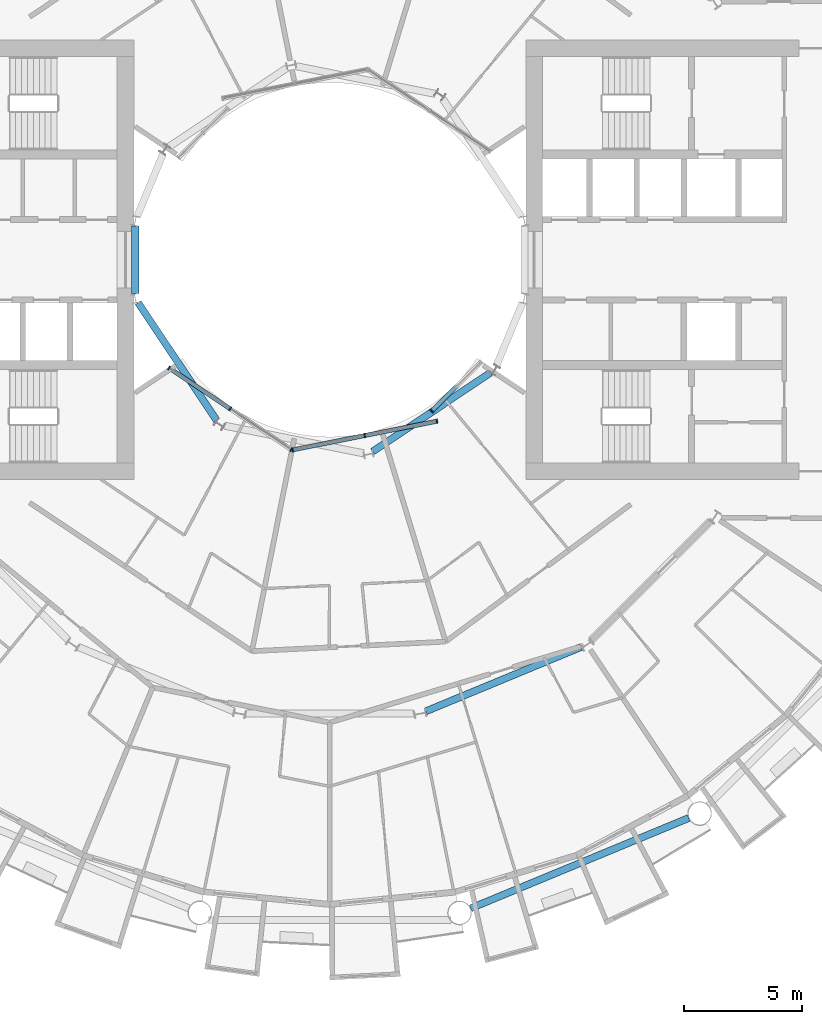
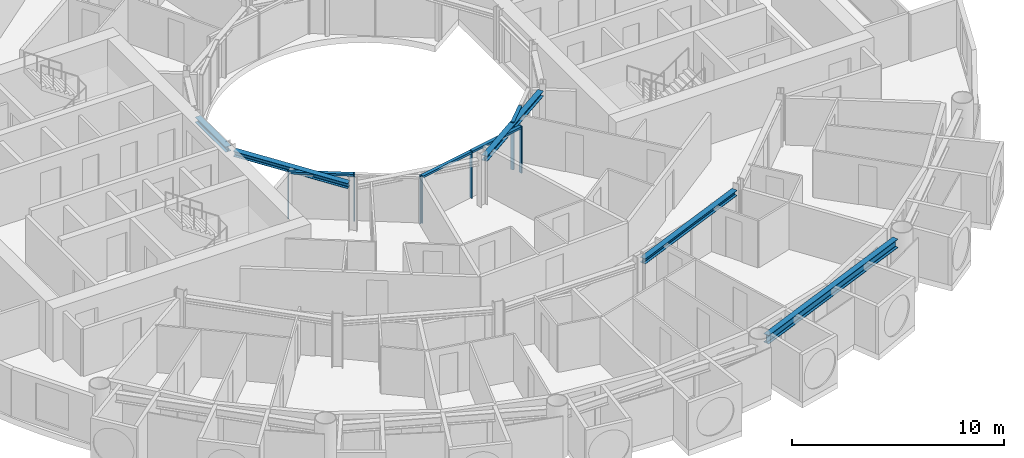
# One storey, part 5 of 26: 11 members, 5 beams, 3 elements without a shape of their own.
"""IFC4 building model written with IfcOpenShell, lengths in metres."""

from ifc_helpers import new_model, si_unit, direction, frame, origin, origin_2d, place, context, subcontext, project, spatial, rectangle, i_section, extrude, material, layer, layer_set, material_profile, profile_set, type_object, element, aggregate, save


model = new_model("IFC4")

# Units and contexts
model_context = context("Model", 3, precision=1e-05, world=origin(), true_north=direction((0.0, 1.0)))
body_context = subcontext(model_context, "Body", "Model", "MODEL_VIEW")
ifc_project = project(units=[si_unit("LENGTHUNIT", "METRE"), si_unit("AREAUNIT", "SQUARE_METRE"), si_unit("VOLUMEUNIT", "CUBIC_METRE"), si_unit("PLANEANGLEUNIT", "RADIAN"), si_unit("MASSUNIT", "GRAM", prefix="KILO")], contexts=[model_context])

# Site, building, storey
site_placement = place(None, origin())
site = spatial("IfcSite", under=ifc_project, at=site_placement, CompositionType="ELEMENT")
building_placement = place(site_placement, origin())
building = spatial("IfcBuilding", under=site, at=building_placement, Name="Maasbend Ring Residences", CompositionType="ELEMENT")
storey_placement = place(building_placement, frame((0.0, 0.0, 91.050048828125)))
storey = spatial("IfcBuildingStorey", under=building, at=storey_placement, Name="L26", CompositionType="ELEMENT", Elevation=91.050048828125)

# Curtain wall, members
ifc_material_1 = material(Name="Aluminium and clear glass", Category="aluminium")
ifc_layer = layer(ifc_material_1, 0.179931640625)
ifc_layer_set = layer_set([ifc_layer], Name="CW-W")
curtain_wall_type = type_object("IfcCurtainWallType", Name="CW-W", PredefinedType="NOTDEFINED", material=ifc_layer_set)
curtain_wall_1_placement = place(storey_placement, origin())
curtain_wall_1 = element("IfcCurtainWall", 1, at=curtain_wall_1_placement, inside=storey, type_object=curtain_wall_type, Name="Well curtain wall S1", PredefinedType="NOTDEFINED")
ifc_material_2 = material(Name="Aluminium 6063-T6", Category="aluminium")
ifc_material_profile_1 = material_profile(ifc_material_2, rectangle(XDim=0.179931640625, YDim=0.06005859375, at=origin_2d()), Name="AL 180x60")
ifc_profile_set_1 = profile_set([ifc_material_profile_1], Name="Aluminium 6063-T6")
member_type_1 = type_object("IfcMemberType", Name="CWM-W", PredefinedType="MULLION", material=ifc_profile_set_1)
member_1_placement = place(storey_placement, frame((-6.805908203125, -4.580810546875, 0.0), z_axis=(0.0, 0.0, 1.0), x_axis=(0.55557023302, 0.831469612303, 0.0)))
member_1 = element("IfcMember", 2, at=member_1_placement, type_object=member_type_1, Name="Mullion well face", PredefinedType="MULLION", context=body_context, shape_type="SweptSolid", body=[
    extrude(rectangle(XDim=0.179931640625, YDim=0.06005859375, at=origin_2d()), origin(), (0.0, 0.0, 1.0), 2.699951171875),
])
member_2_placement = place(storey_placement, frame((-4.216796875, -6.310791015625, 0.0), z_axis=(0.0, 0.0, 1.0), x_axis=(0.55557023302, 0.831469612303, 0.0)))
member_2 = element("IfcMember", 3, at=member_2_placement, type_object=member_type_1, Name="Mullion well face", PredefinedType="MULLION", context=body_context, shape_type="SweptSolid", body=[
    extrude(rectangle(XDim=0.179931640625, YDim=0.06005859375, at=origin_2d()), origin(), (0.0, 0.0, 1.0), 2.699951171875),
])
member_3_placement = place(storey_placement, frame((-1.627685546875, -8.040771484375, 0.0), z_axis=(0.0, 0.0, 1.0), x_axis=(0.55557023302, 0.831469612303, 0.0)))
member_3 = element("IfcMember", 4, at=member_3_placement, type_object=member_type_1, Name="Mullion well face", PredefinedType="MULLION", context=body_context, shape_type="SweptSolid", body=[
    extrude(rectangle(XDim=0.179931640625, YDim=0.06005859375, at=origin_2d()), origin(), (0.0, 0.0, 1.0), 2.699951171875),
])

curtain_wall_2_placement = place(storey_placement, origin())
curtain_wall_2 = element("IfcCurtainWall", 5, at=curtain_wall_2_placement, inside=storey, type_object=curtain_wall_type, Name="Well curtain wall S2", PredefinedType="NOTDEFINED")
member_4_placement = place(storey_placement, frame((-1.5732421875, -8.0517578125, 0.0), z_axis=(0.0, 0.0, 1.0), x_axis=(-0.195090322016, 0.980785280403, 0.0)))
member_4 = element("IfcMember", 6, at=member_4_placement, type_object=member_type_1, Name="Mullion well face", PredefinedType="MULLION", context=body_context, shape_type="SweptSolid", body=[
    extrude(rectangle(XDim=0.179931640625, YDim=0.06005859375, at=origin_2d()), origin(), (0.0, 0.0, 1.0), 2.699951171875),
])
member_5_placement = place(storey_placement, frame((1.480712890625, -7.444091796875, 0.0), z_axis=(0.0, 0.0, 1.0), x_axis=(-0.195090322016, 0.980785280403, 0.0)))
member_5 = element("IfcMember", 7, at=member_5_placement, type_object=member_type_1, Name="Mullion well face", PredefinedType="MULLION", context=body_context, shape_type="SweptSolid", body=[
    extrude(rectangle(XDim=0.179931640625, YDim=0.06005859375, at=origin_2d()), origin(), (0.0, 0.0, 1.0), 2.699951171875),
])
member_6_placement = place(storey_placement, frame((4.53466796875, -6.836669921875, 0.0), z_axis=(0.0, 0.0, 1.0), x_axis=(-0.195090322016, 0.980785280403, 0.0)))
member_6 = element("IfcMember", 8, at=member_6_placement, type_object=member_type_1, Name="Mullion well face", PredefinedType="MULLION", context=body_context, shape_type="SweptSolid", body=[
    extrude(rectangle(XDim=0.179931640625, YDim=0.06005859375, at=origin_2d()), origin(), (0.0, 0.0, 1.0), 2.699951171875),
])

# Curtain wall, member
curtain_wall_3_placement = place(storey_placement, origin())
curtain_wall_3 = element("IfcCurtainWall", 9, at=curtain_wall_3_placement, inside=storey, type_object=curtain_wall_type, Name="Well curtain wall S3", PredefinedType="NOTDEFINED")
member_7_placement = place(storey_placement, frame((4.320556640625, -6.413330078125, 0.0), z_axis=(0.0, 0.0, 1.0), x_axis=(-0.707106781187, 0.707106781187, 0.0)))
member_7 = element("IfcMember", 10, at=member_7_placement, type_object=member_type_1, Name="Mullion well face", PredefinedType="MULLION", context=body_context, shape_type="SweptSolid", body=[
    extrude(rectangle(XDim=0.179931640625, YDim=0.06005859375, at=origin_2d()), origin(), (0.0, 0.0, 1.0), 2.699951171875),
])

# Member
ifc_material_3 = material(Name="Aluminium 6063-T6", Category="aluminium")
ifc_material_profile_2 = material_profile(ifc_material_3, rectangle(XDim=0.179931640625, YDim=0.1201171875, at=origin_2d()), Name="AL 180x120")
ifc_profile_set_2 = profile_set([ifc_material_profile_2], Name="Aluminium 6063-T6")
member_type_2 = type_object("IfcMemberType", Name="CWT-W", PredefinedType="USERDEFINED", material=ifc_profile_set_2)
member_8_placement = place(storey_placement, frame((-6.781005859375, -4.59765625, 2.639892578125), z_axis=(0.831496422459, -0.555530106689, 0.0), x_axis=(0.555530106689, 0.831496422459, 0.0)))
member_8 = element("IfcMember", 11, at=member_8_placement, type_object=member_type_2, Name="Transom well face", ObjectType="TRANSOM", PredefinedType="USERDEFINED", context=body_context, shape_type="SweptSolid", body=[
    extrude(rectangle(XDim=0.179931640625, YDim=0.1201171875, at=origin_2d()), origin(), (0.0, 0.0, 1.0), 3.053955078125),
])

aggregate(curtain_wall_1, [member_1, member_2, member_3, member_8])

member_9_placement = place(storey_placement, frame((-1.5439453125, -8.0458984375, 2.639892578125), z_axis=(0.980776956105, 0.195132166424, 0.0), x_axis=(-0.195132166424, 0.980776956105, 0.0)))
member_9 = element("IfcMember", 12, at=member_9_placement, type_object=member_type_2, Name="Transom well face", ObjectType="TRANSOM", PredefinedType="USERDEFINED", context=body_context, shape_type="SweptSolid", body=[
    extrude(rectangle(XDim=0.179931640625, YDim=0.1201171875, at=origin_2d()), origin(), (0.0, 0.0, 1.0), 3.053955078125),
])

member_10_placement = place(storey_placement, frame((1.51025390625, -7.438232421875, 2.639892578125), z_axis=(0.980789210404, 0.19507056353, 0.0), x_axis=(-0.19507056353, 0.980789210404, 0.0)))
member_10 = element("IfcMember", 13, at=member_10_placement, type_object=member_type_2, Name="Transom well face", ObjectType="TRANSOM", PredefinedType="USERDEFINED", context=body_context, shape_type="SweptSolid", body=[
    extrude(rectangle(XDim=0.179931640625, YDim=0.1201171875, at=origin_2d()), origin(), (0.0, 0.0, 1.0), 3.0537109375),
])

aggregate(curtain_wall_2, [member_4, member_5, member_6, member_9, member_10])

member_11_placement = place(storey_placement, frame((4.341796875, -6.39208984375, 2.639892578125), z_axis=(0.707106781187, 0.707106781187, 0.0), x_axis=(-0.707106781187, 0.707106781187, 0.0)))
member_11 = element("IfcMember", 14, at=member_11_placement, type_object=member_type_2, Name="Transom well face", ObjectType="TRANSOM", PredefinedType="USERDEFINED", context=body_context, shape_type="SweptSolid", body=[
    extrude(rectangle(XDim=0.179931640625, YDim=0.1201171875, at=origin_2d()), origin(), (0.0, 0.0, 1.0), 1.419677734375),
])

aggregate(curtain_wall_3, [member_7, member_11])

# Beams
ifc_material_4 = material(Name="Steel S355J2", Category="steel")
ifc_material_profile_3 = material_profile(ifc_material_4, i_section(OverallWidth=0.300048828125, OverallDepth=0.300048828125, WebThickness=0.010986328125, FlangeThickness=0.01904296875, FilletRadius=0.027099609375, at=origin_2d()), Name="HEB 300")
ifc_profile_set_3 = profile_set([ifc_material_profile_3], Name="Steel S355J2")
beam_type_1 = type_object("IfcBeamType", Name="Corridor ring beam HEB 300", PredefinedType="BEAM", material=ifc_profile_set_3)
beam_1_placement = place(storey_placement, frame((4.070556640625, -19.12109375, 2.550048828125), z_axis=(0.923877113721, 0.382689271788, 0.0), x_axis=(-0.382689271788, 0.923877113721, 0.0)))
element("IfcBeam", 15, at=beam_1_placement, inside=storey, type_object=beam_type_1, Name="Corridor ring beam", PredefinedType="BEAM", context=body_context, shape_type="SweptSolid", body=[
    extrude(i_section(OverallWidth=0.300048828125, OverallDepth=0.300048828125, WebThickness=0.010986328125, FlangeThickness=0.01904296875, FilletRadius=0.027099609375, at=origin_2d()), origin(), (0.0, 0.0, 1.0), 7.11328125),
])
ifc_material_5 = material(Name="Steel S355J2", Category="steel")
ifc_material_profile_4 = material_profile(ifc_material_5, i_section(OverallWidth=0.300048828125, OverallDepth=0.5, WebThickness=0.014404296875, FlangeThickness=0.028076171875, FilletRadius=0.027099609375, at=origin_2d()), Name="HEB 500")
ifc_profile_set_4 = profile_set([ifc_material_profile_4], Name="Steel S355J2")
beam_type_2 = type_object("IfcBeamType", Name="Spandrel ring beam HEB 500", PredefinedType="SPANDREL", material=ifc_profile_set_4)
beam_2_placement = place(storey_placement, frame((5.970703125, -27.463623046875, 2.449951171875), z_axis=(0.923886337442, 0.382667003395, 0.0), x_axis=(-0.382667003395, 0.923886337442, 0.0)))
element("IfcBeam", 16, at=beam_2_placement, inside=storey, type_object=beam_type_2, Name="Spandrel ring beam", PredefinedType="SPANDREL", context=body_context, shape_type="SweptSolid", body=[
    extrude(i_section(OverallWidth=0.300048828125, OverallDepth=0.5, WebThickness=0.014404296875, FlangeThickness=0.028076171875, FilletRadius=0.027099609375, at=origin_2d()), origin(), (0.0, 0.0, 1.0), 9.9873046875),
])
ifc_material_6 = material(Name="Steel S355J2", Category="steel")
ifc_material_profile_5 = material_profile(ifc_material_6, i_section(OverallWidth=0.300048828125, OverallDepth=0.300048828125, WebThickness=0.010986328125, FlangeThickness=0.01904296875, FilletRadius=0.027099609375, at=origin_2d()), Name="HEB 300")
ifc_profile_set_5 = profile_set([ifc_material_profile_5], Name="Steel S355J2")
beam_type_3 = type_object("IfcBeamType", Name="Well edge beam HEB 300", PredefinedType="BEAM", material=ifc_profile_set_5)
beam_3_placement = place(storey_placement, frame((-8.238525390625, 1.434814453125, 2.550048828125), z_axis=(0.0, -1.0, 0.0), x_axis=(1.0, 0.0, 0.0)))
element("IfcBeam", 17, at=beam_3_placement, inside=storey, type_object=beam_type_3, Name="Well edge beam", PredefinedType="BEAM", context=body_context, shape_type="SweptSolid", body=[
    extrude(i_section(OverallWidth=0.300048828125, OverallDepth=0.300048828125, WebThickness=0.010986328125, FlangeThickness=0.01904296875, FilletRadius=0.027099609375, at=origin_2d()), origin(), (0.0, 0.0, 1.0), 2.86962890625),
])
for number, where, z_axis, x_axis, name in (
    (18, (-8.118408203125, -1.81884765625, 2.550048828125), (0.555592533493, -0.83145471117, 0.0), (0.83145471117, 0.555592533493, 0.0), "Well edge beam"),
    (19, (1.81884765625, -8.118408203125, 2.550048828125), (0.83145471117, 0.555592533493, 0.0), (-0.555592533493, 0.83145471117, 0.0), "Well edge beam"),
):
    element("IfcBeam", number, at=place(storey_placement, frame(where, z_axis=z_axis, x_axis=x_axis)), inside=storey, type_object=beam_type_3, Name=name, PredefinedType="BEAM", context=body_context, shape_type="SweptSolid", body=[
        extrude(i_section(OverallWidth=0.300048828125, OverallDepth=0.300048828125, WebThickness=0.010986328125, FlangeThickness=0.01904296875, FilletRadius=0.027099609375, at=origin_2d()), origin(), (0.0, 0.0, 1.0), 5.995849609375),
    ])

save(model, "model.ifc")
